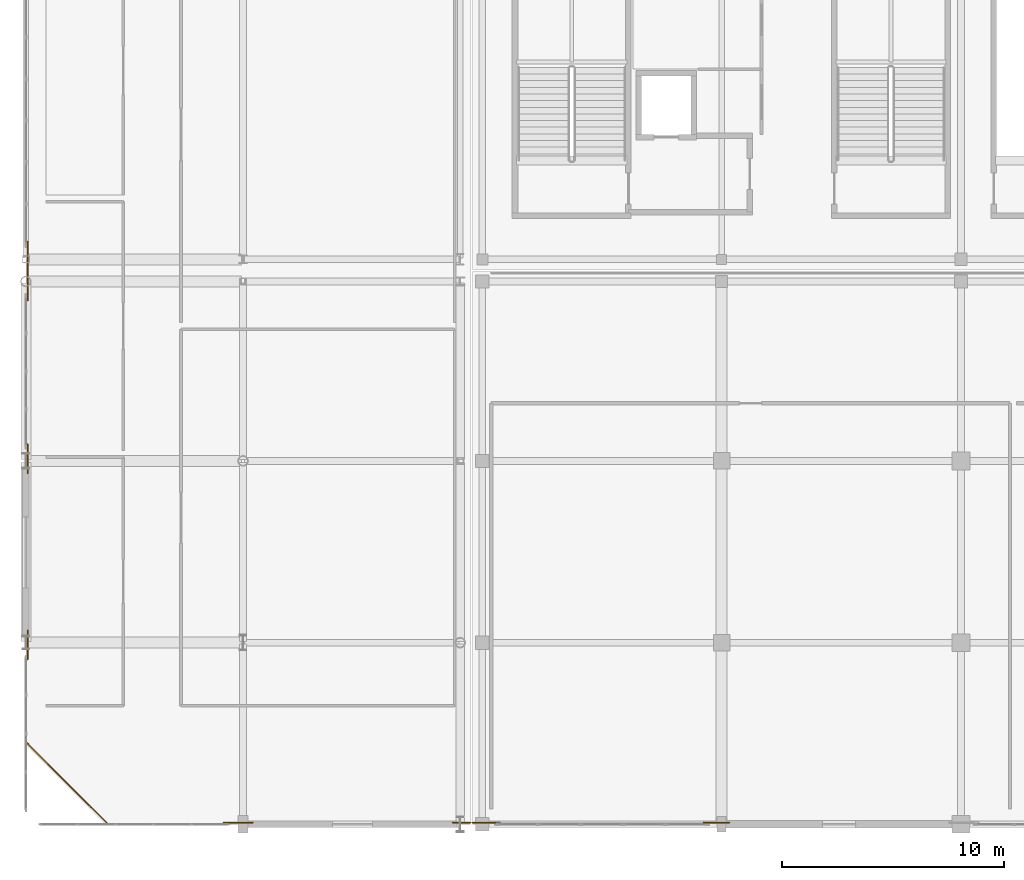
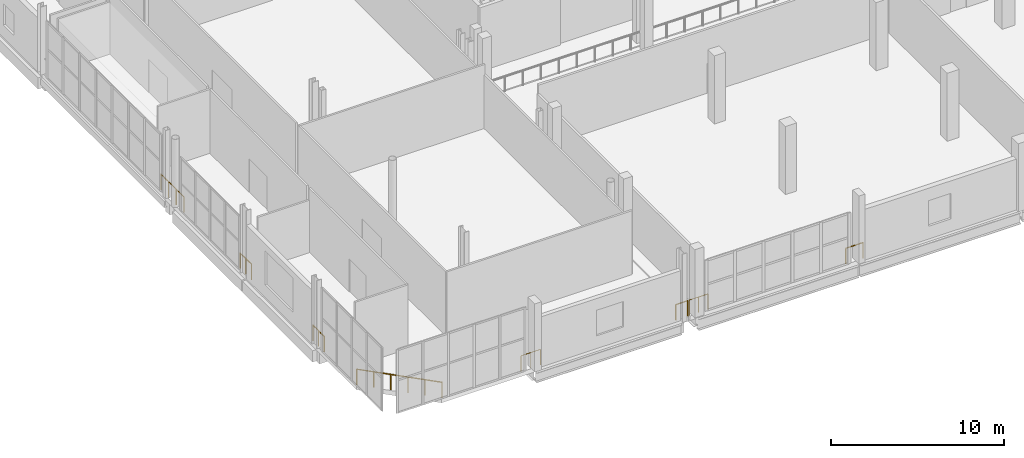
# One storey, part 92 of 129: 8 railings.
"""IFC4 building model written with IfcOpenShell, lengths in metres."""

from ifc_helpers import new_model, si_unit, direction, frame, origin, origin_2d, place, context, subcontext, project, spatial, circle, extrude, material, type_object, element, save


model = new_model("IFC4")

# Units and contexts
model_context = context("Model", 3, precision=1e-05, world=origin(), true_north=direction((0.0, 1.0)))
body_context = subcontext(model_context, "Body", "Model", "MODEL_VIEW")
ifc_project = project(units=[si_unit("LENGTHUNIT", "METRE"), si_unit("AREAUNIT", "SQUARE_METRE"), si_unit("VOLUMEUNIT", "CUBIC_METRE"), si_unit("PLANEANGLEUNIT", "RADIAN"), si_unit("MASSUNIT", "GRAM", prefix="KILO")], contexts=[model_context])

# Site, building, storey
site_placement = place(None, origin())
site = spatial("IfcSite", under=ifc_project, at=site_placement, CompositionType="ELEMENT")
building_placement = place(site_placement, origin())
building = spatial("IfcBuilding", under=site, at=building_placement, Name="Koshinbarg Plaza Stadium", CompositionType="ELEMENT")
storey_placement = place(building_placement, frame((0.0, 0.0, 5.39990234375)))
storey = spatial("IfcBuildingStorey", under=building, at=storey_placement, Name="L01", CompositionType="ELEMENT", Elevation=5.39990234375)

# Railings
ifc_material = material(Name="Toughened laminated glass and stainless steel sightline balustrade", Category="steel")
railing_type = type_object("IfcRailingType", Name="RL-BOWL-1100", PredefinedType="BALUSTRADE", material=ifc_material)
railing_1_placement = place(storey_placement, frame((35.734375, 0.080078125, 0.0)))
element("IfcRailing", 1, at=railing_1_placement, inside=storey, type_object=railing_type, Name="L01 deck edge safety balustrade 0066", PredefinedType="BALUSTRADE", context=body_context, shape_type="SweptSolid", body=[
    extrude(circle(Radius=0.02392578125, at=origin_2d()), frame((0.0, 0.0, 1.076171875), z_axis=(-1.0, 0.0, 0.0), x_axis=(0.0, -1.0, 0.0)), (0.0, 0.0, 1.0), 1.149169921875),
    extrude(circle(Radius=0.02099609375, at=origin_2d()), origin(), (0.0, 0.0, 1.0), 1.052001953125),
    extrude(circle(Radius=0.02099609375, at=origin_2d()), frame((-1.149169921875, 0.0, 0.0)), (0.0, 0.0, 1.0), 1.052001953125),
])
railing_2_placement = place(storey_placement, frame((25.39404296875, 0.080078125, 0.0)))
element("IfcRailing", 2, at=railing_2_placement, inside=storey, type_object=railing_type, Name="L01 deck edge safety balustrade 0067", PredefinedType="BALUSTRADE", context=body_context, shape_type="SweptSolid", body=[
    extrude(circle(Radius=0.02392578125, at=origin_2d()), frame((0.0, 0.0, 1.076171875), z_axis=(-1.0, 0.0, 0.0), x_axis=(0.0, -1.0, 0.0)), (0.0, 0.0, 1.0), 1.2490234375),
    extrude(circle(Radius=0.02099609375, at=origin_2d()), origin(), (0.0, 0.0, 1.0), 1.052001953125),
    extrude(circle(Radius=0.02099609375, at=origin_2d()), frame((-0.62451171875, 0.0, 0.0)), (0.0, 0.0, 1.0), 1.052001953125),
    extrude(circle(Radius=0.02099609375, at=origin_2d()), frame((-1.2490234375, 0.0, 0.0)), (0.0, 0.0, 1.0), 1.052001953125),
])
railing_3_placement = place(storey_placement, frame((7.656494140625, 0.056640625, 0.0)))
element("IfcRailing", 3, at=railing_3_placement, inside=storey, type_object=railing_type, Name="L01 deck edge safety balustrade 0101", PredefinedType="BALUSTRADE", context=body_context, shape_type="SweptSolid", body=[
    extrude(circle(Radius=0.02392578125, at=origin_2d()), frame((0.0, 0.0, 1.076171875), z_axis=(-0.707106781187, 0.707106781187, 0.0), x_axis=(-0.707106781187, -0.707106781187, 0.0)), (0.0, 0.0, 1.0), 5.091064453125),
    extrude(circle(Radius=0.02099609375, at=origin_2d()), origin(), (0.0, 0.0, 1.0), 1.052001953125),
    extrude(circle(Radius=0.02099609375, at=origin_2d()), frame((-0.719970703125, 0.719970703125, 0.0)), (0.0, 0.0, 1.0), 1.052001953125),
    extrude(circle(Radius=0.02099609375, at=origin_2d()), frame((-1.43994140625, 1.43994140625, 0.0)), (0.0, 0.0, 1.0), 1.052001953125),
    extrude(circle(Radius=0.02099609375, at=origin_2d()), frame((-2.159912109375, 2.159912109375, 0.0)), (0.0, 0.0, 1.0), 1.052001953125),
    extrude(circle(Radius=0.02099609375, at=origin_2d()), frame((-2.8798828125, 2.8798828125, 0.0)), (0.0, 0.0, 1.0), 1.052001953125),
    extrude(circle(Radius=0.02099609375, at=origin_2d()), frame((-3.599853515625, 3.599853515625, 0.0)), (0.0, 0.0, 1.0), 1.052001953125),
])
railing_4_placement = place(storey_placement, frame((4.080078125, 7.449951171875, 0.0)))
element("IfcRailing", 4, at=railing_4_placement, inside=storey, type_object=railing_type, Name="L01 deck edge safety balustrade 0102", PredefinedType="BALUSTRADE", context=body_context, shape_type="SweptSolid", body=[
    extrude(circle(Radius=0.02392578125, at=origin_2d()), frame((0.0, 0.0, 1.076171875), z_axis=(0.0, 1.0, 0.0), x_axis=(-1.0, 0.0, 0.0)), (0.0, 0.0, 1.0), 1.300048828125),
    extrude(circle(Radius=0.02099609375, at=origin_2d()), origin(), (0.0, 0.0, 1.0), 1.052001953125),
    extrude(circle(Radius=0.02099609375, at=origin_2d()), frame((0.0, 0.64990234375, 0.0)), (0.0, 0.0, 1.0), 1.052001953125),
    extrude(circle(Radius=0.02099609375, at=origin_2d()), frame((0.0, 1.300048828125, 0.0)), (0.0, 0.0, 1.0), 1.052001953125),
])
railing_5_placement = place(storey_placement, frame((4.080078125, 15.85009765625, 0.0)))
element("IfcRailing", 5, at=railing_5_placement, inside=storey, type_object=railing_type, Name="L01 deck edge safety balustrade 0103", PredefinedType="BALUSTRADE", context=body_context, shape_type="SweptSolid", body=[
    extrude(circle(Radius=0.02392578125, at=origin_2d()), frame((0.0, 0.0, 1.076171875), z_axis=(0.0, 1.0, 0.0), x_axis=(-1.0, 0.0, 0.0)), (0.0, 0.0, 1.0), 1.2998046875),
    extrude(circle(Radius=0.02099609375, at=origin_2d()), origin(), (0.0, 0.0, 1.0), 1.052001953125),
    extrude(circle(Radius=0.02099609375, at=origin_2d()), frame((0.0, 0.64990234375, 0.0)), (0.0, 0.0, 1.0), 1.052001953125),
    extrude(circle(Radius=0.02099609375, at=origin_2d()), frame((0.0, 1.2998046875, 0.0)), (0.0, 0.0, 1.0), 1.052001953125),
])
railing_6_placement = place(storey_placement, frame((4.080078125, 23.64990234375, 0.0)))
element("IfcRailing", 6, at=railing_6_placement, inside=storey, type_object=railing_type, Name="L01 deck edge safety balustrade 0104", PredefinedType="BALUSTRADE", context=body_context, shape_type="SweptSolid", body=[
    extrude(circle(Radius=0.02392578125, at=origin_2d()), frame((0.0, 0.0, 1.076171875), z_axis=(0.0, 1.0, 0.0), x_axis=(-1.0, 0.0, 0.0)), (0.0, 0.0, 1.0), 2.650146484375),
    extrude(circle(Radius=0.02099609375, at=origin_2d()), origin(), (0.0, 0.0, 1.0), 1.052001953125),
    extrude(circle(Radius=0.02099609375, at=origin_2d()), frame((0.0, 0.88330078125, 0.0)), (0.0, 0.0, 1.0), 1.052001953125),
    extrude(circle(Radius=0.02099609375, at=origin_2d()), frame((0.0, 1.766845703125, 0.0)), (0.0, 0.0, 1.0), 1.052001953125),
    extrude(circle(Radius=0.02099609375, at=origin_2d()), frame((0.0, 2.650146484375, 0.0)), (0.0, 0.0, 1.0), 1.052001953125),
])
railing_7_placement = place(storey_placement, frame((24.054931640625, 0.080078125, 0.0)))
element("IfcRailing", 7, at=railing_7_placement, inside=storey, type_object=railing_type, Name="L01 deck edge safety balustrade 0106", PredefinedType="BALUSTRADE", context=body_context, shape_type="SweptSolid", body=[
    extrude(circle(Radius=0.02392578125, at=origin_2d()), frame((0.0, 0.0, 1.076171875), z_axis=(-1.0, 0.0, 0.0), x_axis=(0.0, -1.0, 0.0)), (0.0, 0.0, 1.0), 0.79833984375),
    extrude(circle(Radius=0.02099609375, at=origin_2d()), origin(), (0.0, 0.0, 1.0), 1.052001953125),
    extrude(circle(Radius=0.02099609375, at=origin_2d()), frame((-0.79833984375, 0.0, 0.0)), (0.0, 0.0, 1.0), 1.052001953125),
])
railing_8_placement = place(storey_placement, frame((14.232421875, 0.080078125, 0.0)))
element("IfcRailing", 8, at=railing_8_placement, inside=storey, type_object=railing_type, Name="L01 deck edge safety balustrade 0107", PredefinedType="BALUSTRADE", context=body_context, shape_type="SweptSolid", body=[
    extrude(circle(Radius=0.02392578125, at=origin_2d()), frame((0.0, 0.0, 1.076171875), z_axis=(-1.0, 0.0, 0.0), x_axis=(0.0, -1.0, 0.0)), (0.0, 0.0, 1.0), 1.297607421875),
    extrude(circle(Radius=0.02099609375, at=origin_2d()), origin(), (0.0, 0.0, 1.0), 1.052001953125),
    extrude(circle(Radius=0.02099609375, at=origin_2d()), frame((-0.64892578125, 0.0, 0.0)), (0.0, 0.0, 1.0), 1.052001953125),
    extrude(circle(Radius=0.02099609375, at=origin_2d()), frame((-1.297607421875, 0.0, 0.0)), (0.0, 0.0, 1.0), 1.052001953125),
])

save(model, "model.ifc")
